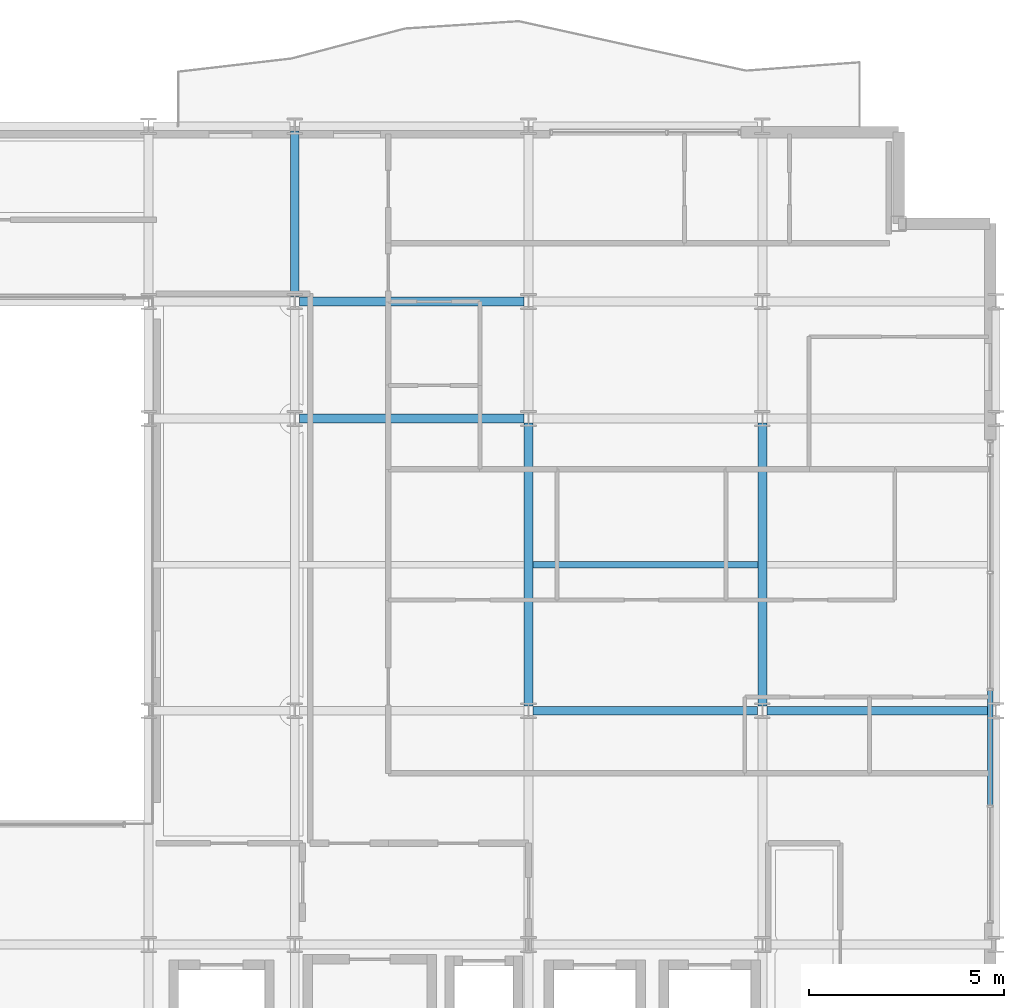
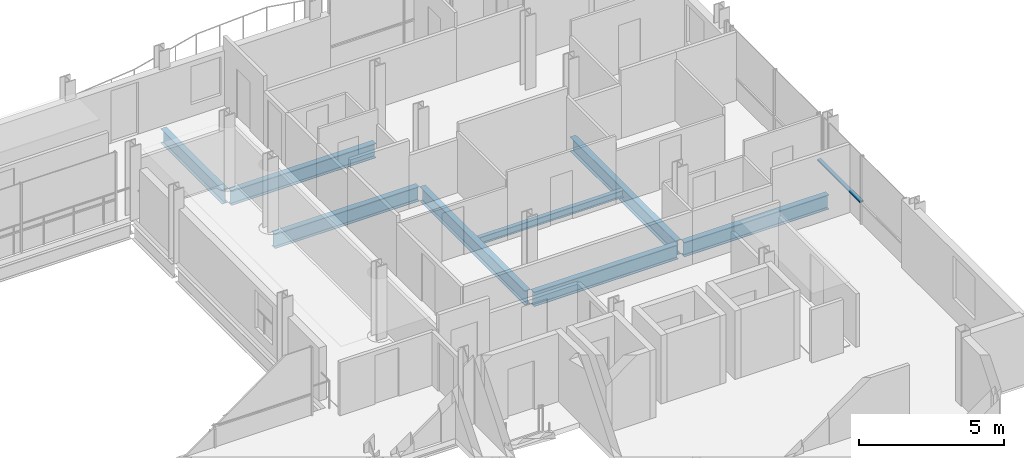
# One storey, part 20 of 41: 8 beams, 1 member, 1 element without a shape of its own.
"""IFC4 building model written with IfcOpenShell, lengths in metres."""

from ifc_helpers import new_model, si_unit, direction, frame, origin, origin_2d, place, context, subcontext, project, spatial, hollow_rectangle, i_section, extrude, material, layer, layer_set, material_profile, profile_set, type_object, element, aggregate, save


model = new_model("IFC4")

# Units and contexts
model_context = context("Model", 3, precision=1e-05, world=origin(), true_north=direction((0.0, 1.0)))
body_context = subcontext(model_context, "Body", "Model", "MODEL_VIEW")
ifc_project = project(units=[si_unit("LENGTHUNIT", "METRE"), si_unit("AREAUNIT", "SQUARE_METRE"), si_unit("VOLUMEUNIT", "CUBIC_METRE"), si_unit("PLANEANGLEUNIT", "RADIAN"), si_unit("MASSUNIT", "GRAM", prefix="KILO")], contexts=[model_context])

# Site, building, storey
site_placement = place(None, origin())
site = spatial("IfcSite", under=ifc_project, at=site_placement, CompositionType="ELEMENT")
building_placement = place(site_placement, origin())
building = spatial("IfcBuilding", under=site, at=building_placement, Name="Brevholm Reach", CompositionType="ELEMENT")
storey_placement = place(building_placement, frame((0.0, 0.0, 163.5)))
storey = spatial("IfcBuildingStorey", under=building, at=storey_placement, Name="L49", CompositionType="ELEMENT", Elevation=163.5)

# Beams
ifc_material_1 = material(Name="Structural Steel S355J2", Category="steel")
ifc_material_profile_1 = material_profile(ifc_material_1, i_section(OverallWidth=0.1650390625, OverallDepth=0.303466796875, WebThickness=0.006103515625, FlangeThickness=0.01025390625, FilletRadius=0.0087890625, at=origin_2d()), Name="UKB 305x165x40")
ifc_profile_set_1 = profile_set([ifc_material_profile_1], Name="Structural Steel S355J2")
beam_type_1 = type_object("IfcBeamType", Name="BM-B305", PredefinedType="BEAM", material=ifc_profile_set_1)
beam_1_placement = place(storey_placement, frame((48.114501953125, 19.75, -0.37158203125), z_axis=(1.0, 0.0, 0.0), x_axis=(0.0, 1.0, 0.0)))
element("IfcBeam", 1, at=beam_1_placement, inside=storey, type_object=beam_type_1, Name="L49 Composite Secondary Floor Beam", PredefinedType="BEAM", context=body_context, shape_type="SweptSolid", body=[
    extrude(i_section(OverallWidth=0.1650390625, OverallDepth=0.303466796875, WebThickness=0.006103515625, FlangeThickness=0.01025390625, FilletRadius=0.0087890625, at=origin_2d()), origin(), (0.0, 0.0, 1.0), 5.77099609375),
])
ifc_material_2 = material(Name="Structural Steel S355J2", Category="steel")
ifc_material_profile_2 = material_profile(ifc_material_2, i_section(OverallWidth=0.22900390625, OverallDepth=0.6123046875, WebThickness=0.011962890625, FlangeThickness=0.01953125, FilletRadius=0.0126953125, at=origin_2d()), Name="UKB 610x229x125")
ifc_profile_set_2 = profile_set([ifc_material_profile_2], Name="Structural Steel S355J2")
beam_type_2 = type_object("IfcBeamType", Name="BM-SP610", PredefinedType="SPANDREL", material=ifc_profile_set_2)
for number, where, z_axis, x_axis, name in (
    (2, (48.1201171875, 16.0, -0.526123046875), (1.0, 0.0, 0.0), (0.0, 1.0, 0.0), "L49 SP-01 Framing Beam"),
    (3, (54.1201171875, 16.0, -0.526123046875), (1.0, 0.0, 0.0), (0.0, 1.0, 0.0), "L49 SP-01 Framing Beam"),
    (4, (42.1201171875, 23.5, -0.526123046875), (1.0, 0.0, 0.0), (0.0, 1.0, 0.0), "L49 SP-01 Framing Beam"),
    (5, (42.1201171875, 26.5, -0.526123046875), (1.0, 0.0, 0.0), (0.0, 1.0, 0.0), "L49 SP-01 Framing Beam"),
):
    element("IfcBeam", number, at=place(storey_placement, frame(where, z_axis=z_axis, x_axis=x_axis)), inside=storey, type_object=beam_type_2, Name=name, PredefinedType="SPANDREL", context=body_context, shape_type="SweptSolid", body=[
        extrude(i_section(OverallWidth=0.22900390625, OverallDepth=0.6123046875, WebThickness=0.011962890625, FlangeThickness=0.01953125, FilletRadius=0.0126953125, at=origin_2d()), origin(), (0.0, 0.0, 1.0), 5.759765625),
    ])
beam_2_placement = place(storey_placement, frame((42.0, 26.6201171875, -0.526123046875), z_axis=(0.0, 1.0, 0.0), x_axis=(-1.0, 0.0, 0.0)))
element("IfcBeam", 6, at=beam_2_placement, inside=storey, type_object=beam_type_2, Name="L49 SP-01 Framing Beam", PredefinedType="SPANDREL", context=body_context, shape_type="SweptSolid", body=[
    extrude(i_section(OverallWidth=0.22900390625, OverallDepth=0.6123046875, WebThickness=0.011962890625, FlangeThickness=0.01953125, FilletRadius=0.0126953125, at=origin_2d()), origin(), (0.0, 0.0, 1.0), 4.259765625),
])
for number, where, z_axis, x_axis, name in (
    (7, (48.0, 16.1201171875, -0.526123046875), (0.0, 1.0, 0.0), (-1.0, 0.0, 0.0), "L49 SP-01 Framing Beam"),
    (8, (54.0, 16.1201171875, -0.526123046875), (0.0, 1.0, 0.0), (-1.0, 0.0, 0.0), "L49 SP-01 Framing Beam"),
):
    element("IfcBeam", number, at=place(storey_placement, frame(where, z_axis=z_axis, x_axis=x_axis)), inside=storey, type_object=beam_type_2, Name=name, PredefinedType="SPANDREL", context=body_context, shape_type="SweptSolid", body=[
        extrude(i_section(OverallWidth=0.22900390625, OverallDepth=0.6123046875, WebThickness=0.011962890625, FlangeThickness=0.01953125, FilletRadius=0.0126953125, at=origin_2d()), origin(), (0.0, 0.0, 1.0), 7.259765625),
    ])

# Curtain wall, member
ifc_material_3 = material(Name="Dark Anodised Aluminium 6063-T6 and Solar-Control Glass", Category="aluminium")
ifc_layer = layer(ifc_material_3, 0.14990234375)
ifc_layer_set = layer_set([ifc_layer], Name="Dark Anodised Aluminium 6063-T6 and Solar-Control Glass")
curtain_wall_type = type_object("IfcCurtainWallType", Name="CW-01", PredefinedType="NOTDEFINED", material=ifc_layer_set)
curtain_wall_placement = place(storey_placement, origin())
curtain_wall = element("IfcCurtainWall", 9, at=curtain_wall_placement, inside=storey, type_object=curtain_wall_type, Name="L49 Curtain Wall CW-01", PredefinedType="NOTDEFINED")
ifc_material_4 = material(Name="Dark Anodised Aluminium 6063-T6", Category="aluminium")
ifc_material_profile_3 = material_profile(ifc_material_4, hollow_rectangle(XDim=0.06494140625, YDim=0.14990234375, WallThickness=0.0048828125, InnerFilletRadius=0.0048828125, OuterFilletRadius=0.010009765625, at=origin_2d()), Name="RHS 150x65x5")
ifc_profile_set_3 = profile_set([ifc_material_profile_3], Name="Dark Anodised Aluminium 6063-T6")
member_type = type_object("IfcMemberType", Name="CWT-150", PredefinedType="NOTDEFINED", material=ifc_profile_set_3)
member_placement = place(storey_placement, frame((59.85009765625, 13.58251953125, 0.89990234375), z_axis=(0.0, 1.0, 0.0), x_axis=(0.0, 0.0, 1.0)))
member = element("IfcMember", 10, at=member_placement, type_object=member_type, Name="CT-150 Transom 2.1", ObjectType="TRANSOM", PredefinedType="USERDEFINED", context=body_context, shape_type="SweptSolid", body=[
    extrude(hollow_rectangle(XDim=0.06494140625, YDim=0.14990234375, WallThickness=0.0048828125, InnerFilletRadius=0.0048828125, OuterFilletRadius=0.010009765625, at=origin_2d()), origin(), (0.0, 0.0, 1.0), 2.93505859375),
])
aggregate(curtain_wall, [member])

save(model, "model.ifc")
